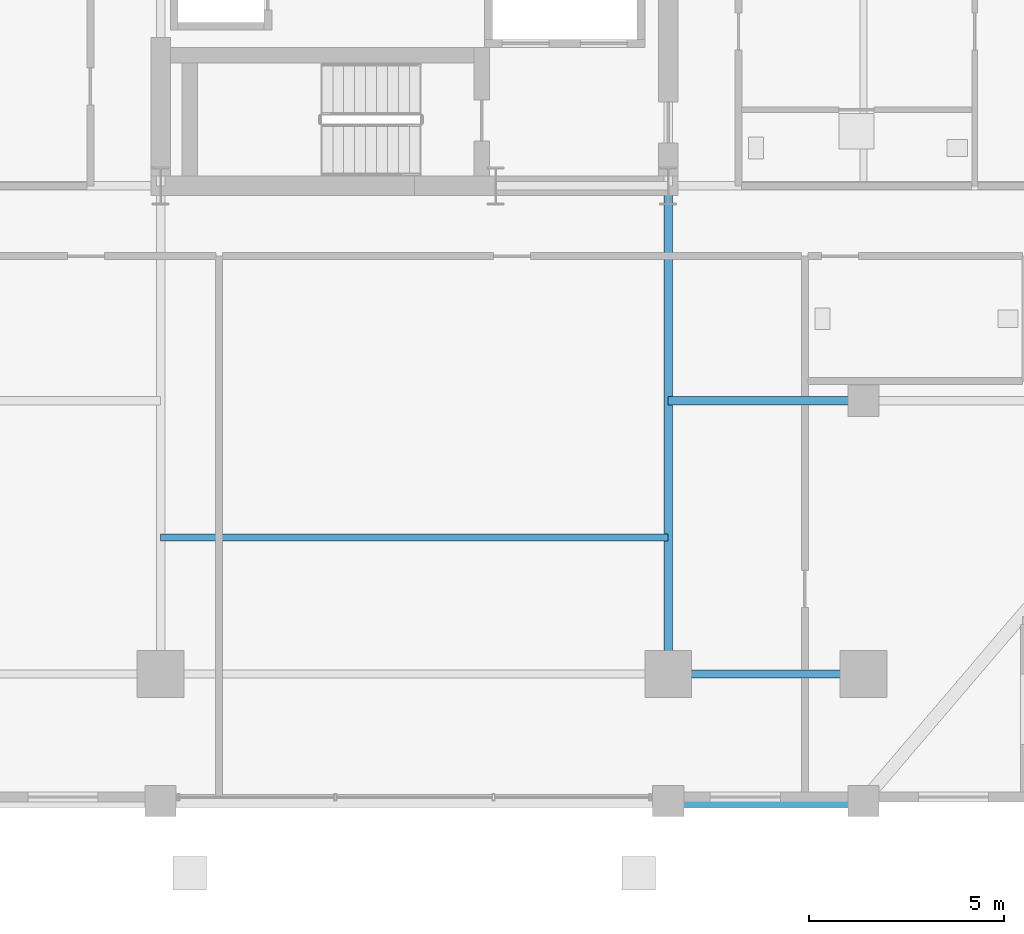
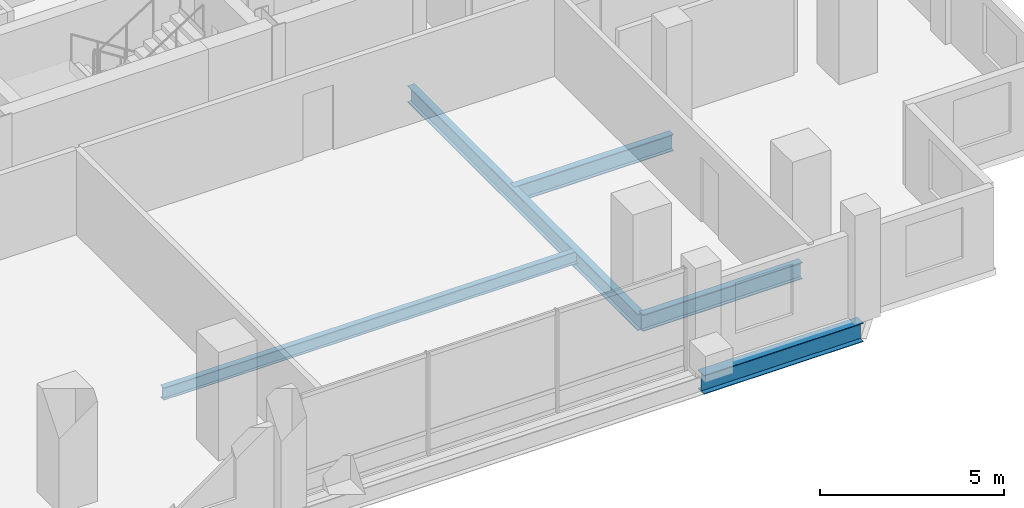
# One storey, part 3 of 19: 5 beams.
"""IFC4 building model written with IfcOpenShell, lengths in metres."""

from ifc_helpers import new_model, si_unit, direction, frame, origin, origin_2d, place, context, subcontext, project, spatial, i_section, extrude, material, material_profile, profile_set, type_object, element, save


model = new_model("IFC4")

# Units and contexts
model_context = context("Model", 3, precision=1e-05, world=origin(), true_north=direction((0.0, 1.0)))
body_context = subcontext(model_context, "Body", "Model", "MODEL_VIEW")
ifc_project = project(units=[si_unit("LENGTHUNIT", "METRE"), si_unit("AREAUNIT", "SQUARE_METRE"), si_unit("VOLUMEUNIT", "CUBIC_METRE"), si_unit("PLANEANGLEUNIT", "RADIAN"), si_unit("MASSUNIT", "GRAM", prefix="KILO")], contexts=[model_context])

# Site, building, storey
site_placement = place(None, origin())
site = spatial("IfcSite", under=ifc_project, at=site_placement, CompositionType="ELEMENT")
building_placement = place(site_placement, origin())
building = spatial("IfcBuilding", under=site, at=building_placement, Name="Barlavira Tower and Art Museum", CompositionType="ELEMENT")
storey_placement = place(building_placement, frame((0.0, 0.0, 113.39990234375)))
storey = spatial("IfcBuildingStorey", under=building, at=storey_placement, Name="L28", CompositionType="ELEMENT", Elevation=113.39990234375)

# Beams
ifc_material = material(Name="Steel S355", Category="steel")
ifc_material_profile_1 = material_profile(ifc_material, i_section(OverallWidth=0.327880859375, OverallDepth=0.62890625, WebThickness=0.013916015625, FlangeThickness=0.021484375, at=origin_2d()), Name="W610x174.0")
ifc_profile_set_1 = profile_set([ifc_material_profile_1], Name="Steel S355")
beam_type_1 = type_object("IfcBeamType", Name="Perimeter Spandrel Edge Beam W610x174 Steel S355", PredefinedType="SPANDREL", material=ifc_profile_set_1)
beam_1_placement = place(storey_placement, frame((6.5, -23.25, -0.534423828125), z_axis=(1.0, 0.0, 0.0), x_axis=(0.0, 1.0, 0.0)))
element("IfcBeam", 1, at=beam_1_placement, inside=storey, type_object=beam_type_1, Name="L28 Spandrel 3", PredefinedType="SPANDREL", context=body_context, shape_type="SweptSolid", body=[
    extrude(i_section(OverallWidth=0.327880859375, OverallDepth=0.62890625, WebThickness=0.013916015625, FlangeThickness=0.021484375, at=origin_2d()), origin(), (0.0, 0.0, 1.0), 5.0),
])
ifc_material_profile_2 = material_profile(ifc_material, i_section(OverallWidth=0.214111328125, OverallDepth=0.549072265625, WebThickness=0.0146484375, FlangeThickness=0.023681640625, at=origin_2d()), Name="W530x138.0")
ifc_profile_set_2 = profile_set([ifc_material_profile_2], Name="Steel S355")
beam_type_2 = type_object("IfcBeamType", Name="Zone 1 Primary Floor Girder W530x138 Steel S355", PredefinedType="BEAM", material=ifc_profile_set_2)
beam_2_placement = place(storey_placement, frame((6.5, -20.0, -0.494384765625), z_axis=(1.0, 0.0, 0.0), x_axis=(0.0, 1.0, 0.0)))
element("IfcBeam", 2, at=beam_2_placement, inside=storey, type_object=beam_type_2, Name="L28 Girder M-S3", PredefinedType="BEAM", context=body_context, shape_type="SweptSolid", body=[
    extrude(i_section(OverallWidth=0.214111328125, OverallDepth=0.549072265625, WebThickness=0.0146484375, FlangeThickness=0.023681640625, at=origin_2d()), origin(), (0.0, 0.0, 1.0), 5.0),
])
beam_3_placement = place(storey_placement, frame((6.5, -20.0, -0.494384765625), z_axis=(0.0, 1.0, 0.0), x_axis=(-1.0, 0.0, 0.0)))
element("IfcBeam", 3, at=beam_3_placement, inside=storey, type_object=beam_type_2, Name="L28 Girder R-S2", PredefinedType="BEAM", context=body_context, shape_type="SweptSolid", body=[
    extrude(i_section(OverallWidth=0.214111328125, OverallDepth=0.549072265625, WebThickness=0.0146484375, FlangeThickness=0.023681640625, at=origin_2d()), origin(), (0.0, 0.0, 1.0), 12.5),
])
beam_4_placement = place(storey_placement, frame((6.5, -13.0, -0.494384765625), z_axis=(1.0, 0.0, 0.0), x_axis=(0.0, 1.0, 0.0)))
element("IfcBeam", 4, at=beam_4_placement, inside=storey, type_object=beam_type_2, Name="L28 Girder I-S3", PredefinedType="BEAM", context=body_context, shape_type="SweptSolid", body=[
    extrude(i_section(OverallWidth=0.214111328125, OverallDepth=0.549072265625, WebThickness=0.0146484375, FlangeThickness=0.023681640625, at=origin_2d()), origin(), (0.0, 0.0, 1.0), 5.0),
])
ifc_material_profile_3 = material_profile(ifc_material, i_section(OverallWidth=0.179931640625, OverallDepth=0.4130859375, WebThickness=0.009765625, FlangeThickness=0.01611328125, at=origin_2d()), Name="W410x75.0")
ifc_profile_set_3 = profile_set([ifc_material_profile_3], Name="Steel S355")
beam_type_3 = type_object("IfcBeamType", Name="Zone 2 Composite Floor Joist W410x75 Steel S355", PredefinedType="JOIST", material=ifc_profile_set_3)
beam_5_placement = place(storey_placement, frame((-6.5, -16.5, -0.426513671875), z_axis=(1.0, 0.0, 0.0), x_axis=(0.0, 1.0, 0.0)))
element("IfcBeam", 5, at=beam_5_placement, inside=storey, type_object=beam_type_3, Name="L28 Joist C1", PredefinedType="JOIST", context=body_context, shape_type="SweptSolid", body=[
    extrude(i_section(OverallWidth=0.179931640625, OverallDepth=0.4130859375, WebThickness=0.009765625, FlangeThickness=0.01611328125, at=origin_2d()), origin(), (0.0, 0.0, 1.0), 13.0),
])

save(model, "model.ifc")
